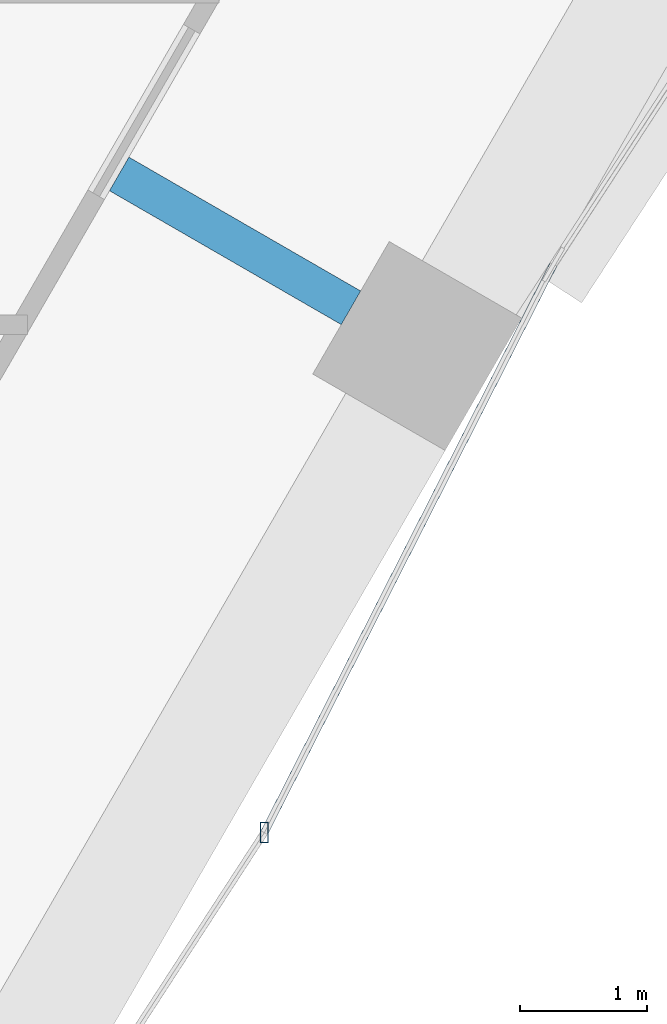
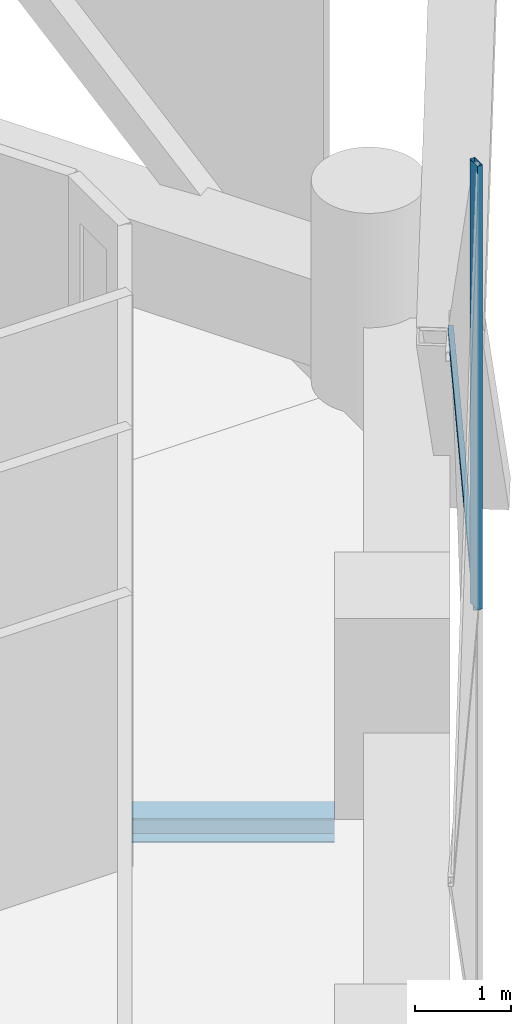
# One storey, part 6 of 16: 2 members, 1 beam, 2 elements without a shape of their own.
"""IFC4 building model written with IfcOpenShell, lengths in metres."""

from ifc_helpers import new_model, si_unit, direction, frame, origin, origin_2d, place, context, subcontext, project, spatial, hollow_rectangle, i_section, extrude, material, material_profile, profile_set, type_object, element, aggregate, save


model = new_model("IFC4")

# Units and contexts
model_context = context("Model", 3, precision=1e-05, world=origin(), true_north=direction((0.0, 1.0)))
body_context = subcontext(model_context, "Body", "Model", "MODEL_VIEW")
ifc_project = project(units=[si_unit("LENGTHUNIT", "METRE"), si_unit("AREAUNIT", "SQUARE_METRE"), si_unit("VOLUMEUNIT", "CUBIC_METRE"), si_unit("PLANEANGLEUNIT", "RADIAN"), si_unit("MASSUNIT", "GRAM", prefix="KILO")], contexts=[model_context])

# Site, building, storey
site_placement = place(None, origin())
site = spatial("IfcSite", under=ifc_project, at=site_placement, CompositionType="ELEMENT")
building_placement = place(site_placement, origin())
building = spatial("IfcBuilding", under=site, at=building_placement, Name="Ostrander Bayou Hotel Tower", CompositionType="ELEMENT")
storey_placement = place(building_placement, frame((0.0, 0.0, 85.5)))
storey = spatial("IfcBuildingStorey", under=building, at=storey_placement, Name="L21", CompositionType="ELEMENT", Elevation=85.5)

# Curtain wall, member
ifc_material_1 = material(Name="Aluminium and clear glass", Category="aluminium")
curtain_wall_type = type_object("IfcCurtainWallType", Name="CW-LAT lattice glazing", PredefinedType="NOTDEFINED", material=ifc_material_1)
curtain_wall_1_placement = place(storey_placement, origin())
curtain_wall_1 = element("IfcCurtainWall", 1, at=curtain_wall_1_placement, inside=storey, type_object=curtain_wall_type, Name="CW-LAT L21 SE 1", PredefinedType="NOTDEFINED")
ifc_material_2 = material(Name="Aluminium", Category="aluminium")
ifc_material_profile_1 = material_profile(ifc_material_2, hollow_rectangle(XDim=0.06005859375, YDim=0.159912109375, WallThickness=0.00390625, at=origin_2d()))
ifc_profile_set_1 = profile_set([ifc_material_profile_1], Name="Aluminium")
member_type_1 = type_object("IfcMemberType", Name="CW-LA mullion 60 x 160 mm", PredefinedType="MULLION", material=ifc_profile_set_1)
member_1_placement = place(storey_placement, frame((17.814208984375, -10.284912109375, 5.02490234375), z_axis=(0.0, 0.0, 1.0), x_axis=(1.0, 0.0, 0.0)))
member_1 = element("IfcMember", 2, at=member_1_placement, type_object=member_type_1, Name="CW-LAT mullion 2", PredefinedType="MULLION", context=body_context, shape_type="SweptSolid", body=[
    extrude(hollow_rectangle(XDim=0.06005859375, YDim=0.159912109375, WallThickness=0.00390625, at=origin_2d()), origin(), (0.0, 0.0, 1.0), 5.625),
])
aggregate(curtain_wall_1, [member_1])

curtain_wall_2_placement = place(storey_placement, origin())
curtain_wall_2 = element("IfcCurtainWall", 3, at=curtain_wall_2_placement, inside=storey, type_object=curtain_wall_type, Name="CW-LAT L21 SE 2", PredefinedType="NOTDEFINED")
ifc_material_3 = material(Name="Aluminium", Category="aluminium")
ifc_material_profile_2 = material_profile(ifc_material_3, hollow_rectangle(XDim=0.06005859375, YDim=0.1201171875, WallThickness=0.00390625, at=origin_2d()))
ifc_profile_set_2 = profile_set([ifc_material_profile_2], Name="Aluminium")
member_type_2 = type_object("IfcMemberType", Name="CW-LA transom 60 x 120 mm", PredefinedType="USERDEFINED", material=ifc_profile_set_2)
member_2_placement = place(storey_placement, frame((17.814208984375, -10.284912109375, 5.02490234375), z_axis=(0.45352798469, 0.891242036207, 0.0), x_axis=(-0.891242036207, 0.45352798469, 0.0)))
member_2 = element("IfcMember", 4, at=member_2_placement, type_object=member_type_2, Name="CW-LAT transom 4", ObjectType="TRANSOM", PredefinedType="USERDEFINED", context=body_context, shape_type="SweptSolid", body=[
    extrude(hollow_rectangle(XDim=0.06005859375, YDim=0.1201171875, WallThickness=0.00390625, at=origin_2d()), origin(), (0.0, 0.0, 1.0), 5.001953125),
])
aggregate(curtain_wall_2, [member_2])

# Beam
ifc_material_4 = material(Name="Steel ASTM A992", Category="steel")
ifc_material_profile_3 = material_profile(ifc_material_4, i_section(OverallWidth=0.3046875, OverallDepth=0.307861328125, WebThickness=0.010009765625, FlangeThickness=0.015380859375, at=origin_2d()))
ifc_profile_set_3 = profile_set([ifc_material_profile_3], Name="Steel ASTM A992")
beam_type = type_object("IfcBeamType", Name="LB1 loggia bracket W12x65", PredefinedType="BEAM", material=ifc_profile_set_3)
beam_placement = place(storey_placement, frame((18.494384765625, -6.166748046875, -0.453857421875), z_axis=(-0.866009402589, 0.500027713859, 0.0), x_axis=(-0.500027713859, -0.866009402589, 0.0)))
element("IfcBeam", 5, at=beam_placement, inside=storey, type_object=beam_type, Name="LB1 L21 SE2", PredefinedType="BEAM", context=body_context, shape_type="SweptSolid", body=[
    extrude(i_section(OverallWidth=0.3046875, OverallDepth=0.307861328125, WebThickness=0.010009765625, FlangeThickness=0.015380859375, at=origin_2d()), origin(), (0.0, 0.0, 1.0), 2.10009765625),
])

save(model, "model.ifc")
